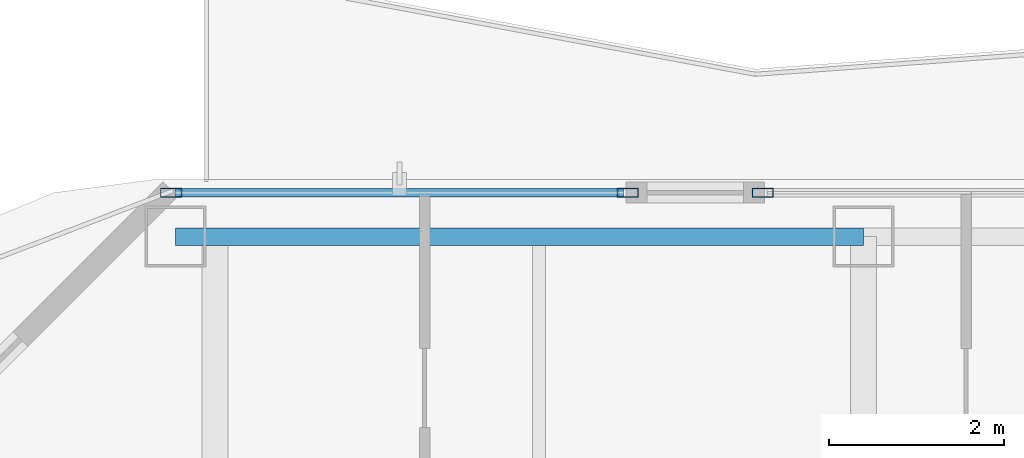
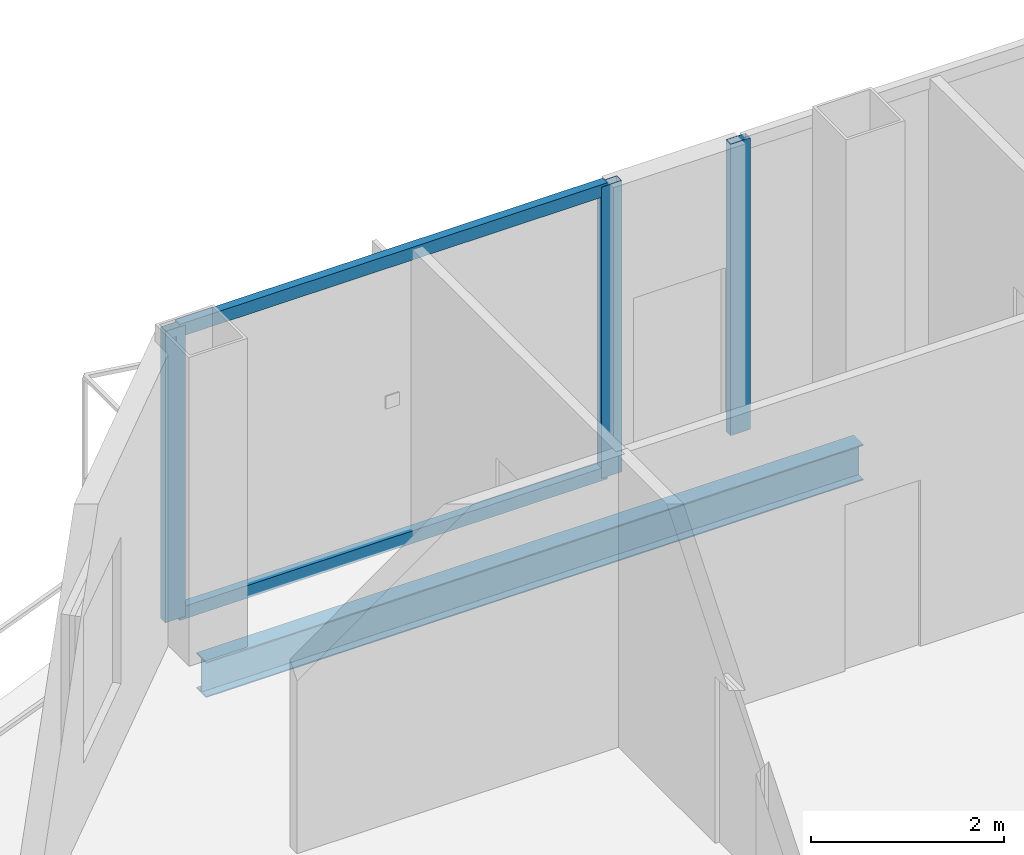
# One storey, part 13 of 30: 5 members, 1 beam, 2 elements without a shape of their own.
"""IFC4 building model written with IfcOpenShell, lengths in metres."""

from ifc_helpers import new_model, si_unit, direction, frame, origin, origin_2d, place, context, subcontext, project, spatial, hollow_rectangle, i_section, extrude, material, layer, layer_set, material_profile, profile_set, type_object, element, aggregate, save


model = new_model("IFC4")

# Units and contexts
model_context = context("Model", 3, precision=1e-05, world=origin(), true_north=direction((0.0, 1.0)))
body_context = subcontext(model_context, "Body", "Model", "MODEL_VIEW")
ifc_project = project(units=[si_unit("LENGTHUNIT", "METRE"), si_unit("AREAUNIT", "SQUARE_METRE"), si_unit("VOLUMEUNIT", "CUBIC_METRE"), si_unit("PLANEANGLEUNIT", "RADIAN"), si_unit("MASSUNIT", "GRAM", prefix="KILO")], contexts=[model_context])

# Site, building, storey
site_placement = place(None, origin())
site = spatial("IfcSite", under=ifc_project, at=site_placement, CompositionType="ELEMENT")
building_placement = place(site_placement, origin())
building = spatial("IfcBuilding", under=site, at=building_placement, Name="Khorvyn Point Tower", CompositionType="ELEMENT")
storey_placement = place(building_placement, frame((0.0, 0.0, 117.300048828125)))
storey = spatial("IfcBuildingStorey", under=building, at=storey_placement, Name="L29", CompositionType="ELEMENT", Elevation=117.300048828125)

# Curtain wall, members
ifc_material_1 = material(Name="Anodised aluminium 6063-T6 and laminated Low-E glass", Category="aluminium")
ifc_layer = layer(ifc_material_1, 0.18994140625)
ifc_layer_set = layer_set([ifc_layer], Name="Stick-Built Acoustic Curtain Wall CW-SYS-03")
curtain_wall_type = type_object("IfcCurtainWallType", Name="Stick-Built Acoustic Curtain Wall CW-SYS-03", PredefinedType="NOTDEFINED", material=ifc_layer_set)
curtain_wall_1_placement = place(storey_placement, origin())
curtain_wall_1 = element("IfcCurtainWall", 1, at=curtain_wall_1_placement, inside=storey, type_object=curtain_wall_type, Name="Curtain Wall", PredefinedType="NOTDEFINED")
ifc_material_2 = material(Name="Anodised aluminium 6063-T6", Category="aluminium")
ifc_material_profile_1 = material_profile(ifc_material_2, hollow_rectangle(XDim=0.10009765625, YDim=0.239990234375, WallThickness=0.0048828125, at=origin_2d()))
ifc_profile_set_1 = profile_set([ifc_material_profile_1], Name="Anodised aluminium 6063-T6 ALU-MUL-100x240")
member_type_1 = type_object("IfcMemberType", Name="Anodised Aluminium 6063-T6 Mullion ALU-MUL-100x240", PredefinedType="MULLION", material=ifc_profile_set_1)
member_1_placement = place(storey_placement, frame((-15.300048828125, 29.449951171875, 0.0), z_axis=(0.0, 0.0, 1.0), x_axis=(0.0, 1.0, 0.0)))
member_1 = element("IfcMember", 2, at=member_1_placement, type_object=member_type_1, Name="Transom", PredefinedType="MULLION", context=body_context, shape_type="SweptSolid", body=[
    extrude(hollow_rectangle(XDim=0.10009765625, YDim=0.239990234375, WallThickness=0.0048828125, at=origin_2d()), origin(), (0.0, 0.0, 1.0), 3.679931640625),
])
member_2_placement = place(storey_placement, frame((-10.089111328125, 29.449951171875, 0.0), z_axis=(0.0, 0.0, 1.0), x_axis=(0.0, 1.0, 0.0)))
member_2 = element("IfcMember", 3, at=member_2_placement, type_object=member_type_1, Name="Transom", PredefinedType="MULLION", context=body_context, shape_type="SweptSolid", body=[
    extrude(hollow_rectangle(XDim=0.10009765625, YDim=0.239990234375, WallThickness=0.0048828125, at=origin_2d()), origin(), (0.0, 0.0, 1.0), 3.679931640625),
])

# Curtain wall, member
curtain_wall_2_placement = place(storey_placement, origin())
curtain_wall_2 = element("IfcCurtainWall", 4, at=curtain_wall_2_placement, inside=storey, type_object=curtain_wall_type, Name="Curtain Wall", PredefinedType="NOTDEFINED")
member_3_placement = place(storey_placement, frame((-8.549072265625, 29.449951171875, 0.0), z_axis=(0.0, 0.0, 1.0), x_axis=(0.0, 1.0, 0.0)))
member_3 = element("IfcMember", 5, at=member_3_placement, type_object=member_type_1, Name="Transom", PredefinedType="MULLION", context=body_context, shape_type="SweptSolid", body=[
    extrude(hollow_rectangle(XDim=0.10009765625, YDim=0.239990234375, WallThickness=0.0048828125, at=origin_2d()), origin(), (0.0, 0.0, 1.0), 3.679931640625),
])
aggregate(curtain_wall_2, [member_3])

# Member
ifc_material_profile_2 = material_profile(ifc_material_2, hollow_rectangle(XDim=0.10009765625, YDim=0.159912109375, WallThickness=0.00439453125, at=origin_2d()))
ifc_profile_set_2 = profile_set([ifc_material_profile_2], Name="Anodised aluminium 6063-T6 ALU-TRN-100x160")
member_type_2 = type_object("IfcMemberType", Name="Anodised Aluminium 6063-T6 Transom ALU-TRN-100x160", PredefinedType="USERDEFINED", material=ifc_profile_set_2)
member_4_placement = place(storey_placement, frame((-15.25, 29.449951171875, 0.050048828125), z_axis=(1.0, 0.0, 0.0), x_axis=(0.0, 1.0, 0.0)))
member_4 = element("IfcMember", 6, at=member_4_placement, type_object=member_type_2, Name="Transom", ObjectType="TRANSOM", PredefinedType="USERDEFINED", context=body_context, shape_type="SweptSolid", body=[
    extrude(hollow_rectangle(XDim=0.10009765625, YDim=0.159912109375, WallThickness=0.00439453125, at=origin_2d()), origin(), (0.0, 0.0, 1.0), 5.111083984375),
])

member_5_placement = place(storey_placement, frame((-15.25, 29.449951171875, 3.6298828125), z_axis=(1.0, 0.0, 0.0), x_axis=(0.0, 1.0, 0.0)))
member_5 = element("IfcMember", 7, at=member_5_placement, type_object=member_type_2, Name="Transom", ObjectType="TRANSOM", PredefinedType="USERDEFINED", context=body_context, shape_type="SweptSolid", body=[
    extrude(hollow_rectangle(XDim=0.10009765625, YDim=0.159912109375, WallThickness=0.00439453125, at=origin_2d()), origin(), (0.0, 0.0, 1.0), 5.111083984375),
])

aggregate(curtain_wall_1, [member_1, member_2, member_4, member_5])

# Beam
ifc_material_3 = material(Name="Steel S355", Category="steel")
ifc_material_profile_3 = material_profile(ifc_material_3, i_section(OverallWidth=0.199951171875, OverallDepth=0.449951171875, WebThickness=0.009033203125, FlangeThickness=0.013916015625, at=origin_2d()))
ifc_profile_set_3 = profile_set([ifc_material_profile_3], Name="Steel S355 H450x200x9x14")
beam_type = type_object("IfcBeamType", Name="Steel S355 Spandrel H450x200x9x14", PredefinedType="SPANDREL", material=ifc_profile_set_3)
beam_placement = place(storey_placement, frame((-15.25, 28.949951171875, -0.445068359375), z_axis=(1.0, 0.0, 0.0), x_axis=(0.0, 1.0, 0.0)))
element("IfcBeam", 8, at=beam_placement, inside=storey, type_object=beam_type, Name="Beam", PredefinedType="SPANDREL", context=body_context, shape_type="SweptSolid", body=[
    extrude(i_section(OverallWidth=0.199951171875, OverallDepth=0.449951171875, WebThickness=0.009033203125, FlangeThickness=0.013916015625, at=origin_2d()), origin(), (0.0, 0.0, 1.0), 7.85009765625),
])

save(model, "model.ifc")
